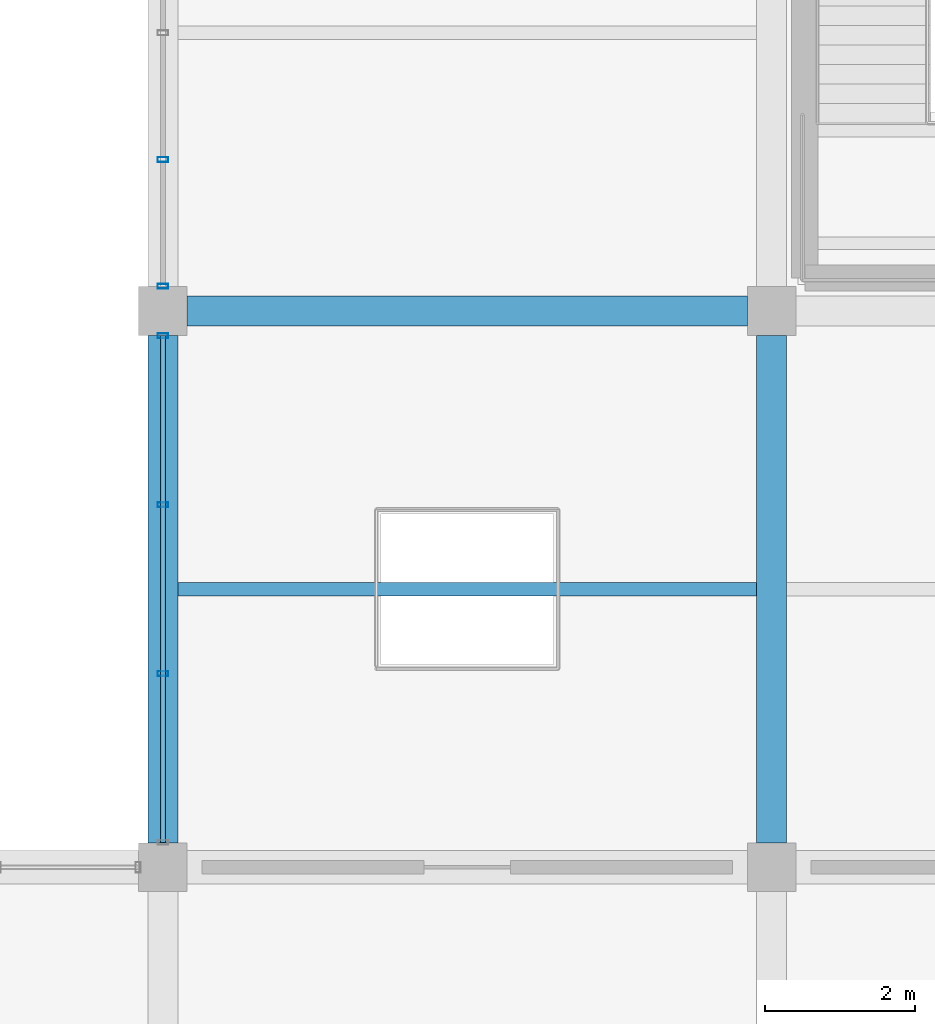
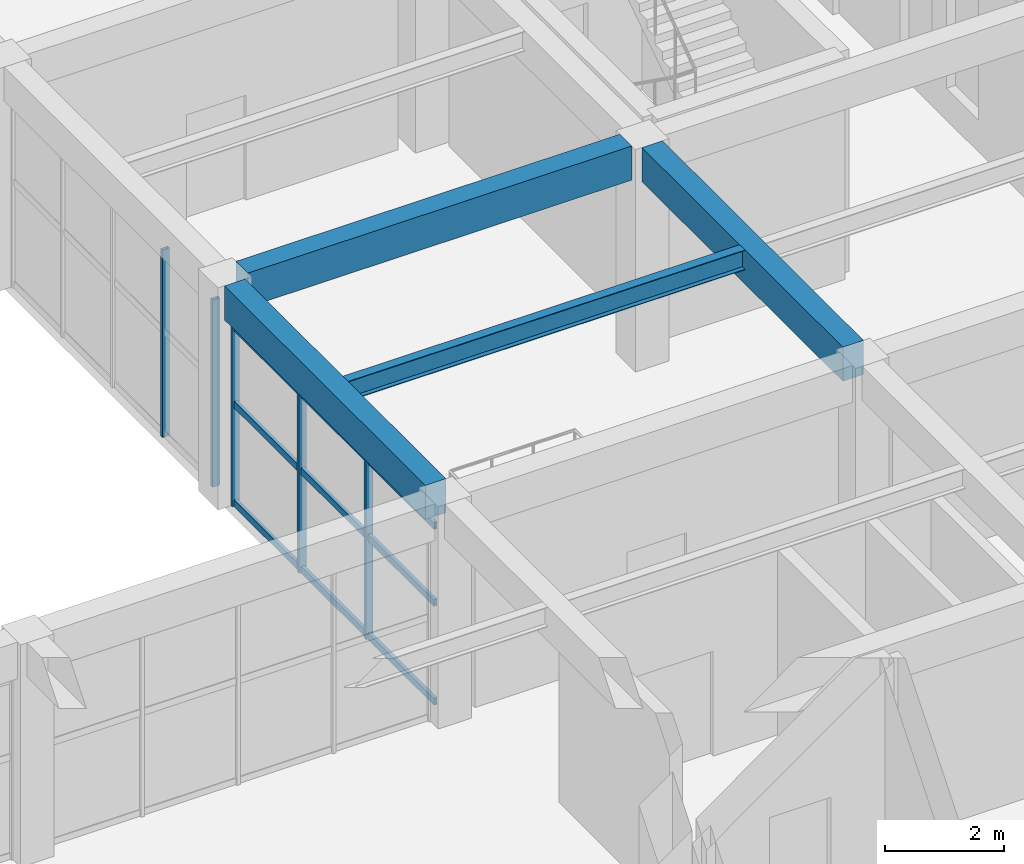
# One storey, part 111 of 161: 8 members, 4 beams, 2 elements without a shape of their own.
"""IFC4 building model written with IfcOpenShell, lengths in metres."""

from ifc_helpers import new_model, si_unit, direction, frame, origin, origin_2d, place, context, subcontext, project, spatial, rectangle, hollow_rectangle, i_section, extrude, material, material_profile, profile_set, type_object, element, aggregate, save


model = new_model("IFC4")

# Units and contexts
model_context = context("Model", 3, precision=1e-05, world=origin(), true_north=direction((0.0, 1.0)))
body_context = subcontext(model_context, "Body", "Model", "MODEL_VIEW")
ifc_project = project(units=[si_unit("LENGTHUNIT", "METRE"), si_unit("AREAUNIT", "SQUARE_METRE"), si_unit("VOLUMEUNIT", "CUBIC_METRE"), si_unit("PLANEANGLEUNIT", "RADIAN"), si_unit("MASSUNIT", "GRAM", prefix="KILO")], contexts=[model_context])

# Site, building, storey
site_placement = place(None, origin())
site = spatial("IfcSite", under=ifc_project, at=site_placement, CompositionType="ELEMENT")
building_placement = place(site_placement, origin())
building = spatial("IfcBuilding", under=site, at=building_placement, Name="Cimatlan Art Gallery", CompositionType="ELEMENT")
storey_placement = place(building_placement, frame((0.0, 0.0, 5.39990234375)))
storey = spatial("IfcBuildingStorey", under=building, at=storey_placement, Name="L01", CompositionType="ELEMENT", Elevation=5.39990234375)

# Beams
ifc_material_1 = material(Name="Concrete C40/50", Category="concrete")
ifc_material_profile_1 = material_profile(ifc_material_1, rectangle(XDim=0.39990234375, YDim=0.699951171875, at=origin_2d()), Name="RC400X700")
ifc_profile_set_1 = profile_set([ifc_material_profile_1], Name="Concrete C40/50")
beam_type_1 = type_object("IfcBeamType", Name="BM-RC-400X700", PredefinedType="BEAM", material=ifc_profile_set_1)
for number, where, z_axis, x_axis, name in (
    (1, (147.800048828125, 39.02490234375, 4.210205078125), (0.0, 1.0, 0.0), (-1.0, 0.0, 0.0), "BM-Y-L01-18-05"),
    (2, (155.89990234375, 39.02490234375, 4.210205078125), (0.0, 1.0, 0.0), (-1.0, 0.0, 0.0), "BM-Y-L01-19-05"),
):
    element("IfcBeam", number, at=place(storey_placement, frame(where, z_axis=z_axis, x_axis=x_axis)), inside=storey, type_object=beam_type_1, Name=name, PredefinedType="BEAM", context=body_context, shape_type="SweptSolid", body=[
        extrude(rectangle(XDim=0.39990234375, YDim=0.699951171875, at=origin_2d()), origin(), (0.0, 0.0, 1.0), 6.75),
    ])
beam_1_placement = place(storey_placement, frame((148.125, 46.10009765625, 4.210205078125), z_axis=(1.0, 0.0, 0.0), x_axis=(0.0, 1.0, 0.0)))
element("IfcBeam", 3, at=beam_1_placement, inside=storey, type_object=beam_type_1, Name="BM-X-L01-18-06", PredefinedType="BEAM", context=body_context, shape_type="SweptSolid", body=[
    extrude(rectangle(XDim=0.39990234375, YDim=0.699951171875, at=origin_2d()), origin(), (0.0, 0.0, 1.0), 7.449951171875),
])
ifc_material_2 = material(Name="Steel ASTM A992 Grade 50", Category="steel")
ifc_material_profile_2 = material_profile(ifc_material_2, i_section(OverallWidth=0.177978515625, OverallDepth=0.406982421875, WebThickness=0.0078125, FlangeThickness=0.0126953125, at=origin_2d()), Name="W16X40")
ifc_profile_set_2 = profile_set([ifc_material_profile_2], Name="Steel ASTM A992 Grade 50")
beam_type_2 = type_object("IfcBeamType", Name="BM-STL-W16X40", PredefinedType="JOIST", material=ifc_profile_set_2)
beam_2_placement = place(storey_placement, frame((148.0, 42.39990234375, 4.356689453125), z_axis=(1.0, 0.0, 0.0), x_axis=(0.0, 1.0, 0.0)))
element("IfcBeam", 4, at=beam_2_placement, inside=storey, type_object=beam_type_2, Name="JST-L01-18-05", PredefinedType="JOIST", context=body_context, shape_type="SweptSolid", body=[
    extrude(i_section(OverallWidth=0.177978515625, OverallDepth=0.406982421875, WebThickness=0.0078125, FlangeThickness=0.0126953125, at=origin_2d()), origin(), (0.0, 0.0, 1.0), 7.699951171875),
])

# Curtain wall, members
ifc_material_3 = material(Name="Anodised bronze unitised curtain wall")
curtain_wall_type_1 = type_object("IfcCurtainWallType", Name="CW-V-06742X03720-B3", PredefinedType="NOTDEFINED", material=ifc_material_3)
curtain_wall_1_placement = place(storey_placement, origin())
curtain_wall_1 = element("IfcCurtainWall", 5, at=curtain_wall_1_placement, inside=storey, type_object=curtain_wall_type_1, Name="CW-L01-18-05-W", PredefinedType="NOTDEFINED")
ifc_material_4 = material(Name="Anodised bronze aluminium 6063-T6", Category="aluminium")
ifc_material_profile_3 = material_profile(ifc_material_4, hollow_rectangle(XDim=0.06494140625, YDim=0.139892578125, WallThickness=0.00390625, at=origin_2d()), Name="ALU65X140X4")
ifc_profile_set_3 = profile_set([ifc_material_profile_3], Name="Anodised bronze aluminium 6063-T6")
member_type_1 = type_object("IfcMemberType", Name="CW-MUL-140", PredefinedType="MULLION", material=ifc_profile_set_3)
member_1_placement = place(storey_placement, frame((147.800048828125, 41.2763671875, 0.0), z_axis=(0.0, 0.0, 1.0), x_axis=(0.0, 1.0, 0.0)))
member_1 = element("IfcMember", 6, at=member_1_placement, type_object=member_type_1, Name="CW-L01-18-05-W-M2", PredefinedType="MULLION", context=body_context, shape_type="SweptSolid", body=[
    extrude(hollow_rectangle(XDim=0.06494140625, YDim=0.139892578125, WallThickness=0.00390625, at=origin_2d()), origin(), (0.0, 0.0, 1.0), 3.72021484375),
])
member_2_placement = place(storey_placement, frame((147.800048828125, 43.523681640625, 0.0), z_axis=(0.0, 0.0, 1.0), x_axis=(0.0, 1.0, 0.0)))
member_2 = element("IfcMember", 7, at=member_2_placement, type_object=member_type_1, Name="CW-L01-18-05-W-M3", PredefinedType="MULLION", context=body_context, shape_type="SweptSolid", body=[
    extrude(hollow_rectangle(XDim=0.06494140625, YDim=0.139892578125, WallThickness=0.00390625, at=origin_2d()), origin(), (0.0, 0.0, 1.0), 3.72021484375),
])
member_3_placement = place(storey_placement, frame((147.800048828125, 45.77099609375, 0.0), z_axis=(0.0, 0.0, 1.0), x_axis=(0.0, 1.0, 0.0)))
member_3 = element("IfcMember", 8, at=member_3_placement, type_object=member_type_1, Name="CW-L01-18-05-W-M4", PredefinedType="MULLION", context=body_context, shape_type="SweptSolid", body=[
    extrude(hollow_rectangle(XDim=0.06494140625, YDim=0.139892578125, WallThickness=0.00390625, at=origin_2d()), origin(), (0.0, 0.0, 1.0), 3.72021484375),
])

curtain_wall_type_2 = type_object("IfcCurtainWallType", Name="CW-V-06742X03845-B4", PredefinedType="NOTDEFINED", material=ifc_material_3)
curtain_wall_2_placement = place(storey_placement, origin())
curtain_wall_2 = element("IfcCurtainWall", 9, at=curtain_wall_2_placement, inside=storey, type_object=curtain_wall_type_2, Name="CW-L01-18-06-W", PredefinedType="NOTDEFINED")
member_4_placement = place(storey_placement, frame((147.800048828125, 46.428955078125, 0.0), z_axis=(0.0, 0.0, 1.0), x_axis=(0.0, 1.0, 0.0)))
member_4 = element("IfcMember", 10, at=member_4_placement, type_object=member_type_1, Name="CW-L01-18-06-W-M1", PredefinedType="MULLION", context=body_context, shape_type="SweptSolid", body=[
    extrude(hollow_rectangle(XDim=0.06494140625, YDim=0.139892578125, WallThickness=0.00390625, at=origin_2d()), origin(), (0.0, 0.0, 1.0), 3.84521484375),
])
member_5_placement = place(storey_placement, frame((147.800048828125, 48.114501953125, 0.0), z_axis=(0.0, 0.0, 1.0), x_axis=(0.0, 1.0, 0.0)))
member_5 = element("IfcMember", 11, at=member_5_placement, type_object=member_type_1, Name="CW-L01-18-06-W-M2", PredefinedType="MULLION", context=body_context, shape_type="SweptSolid", body=[
    extrude(hollow_rectangle(XDim=0.06494140625, YDim=0.139892578125, WallThickness=0.00390625, at=origin_2d()), origin(), (0.0, 0.0, 1.0), 3.84521484375),
])
aggregate(curtain_wall_2, [member_4, member_5])

# Member
ifc_material_profile_4 = material_profile(ifc_material_4, hollow_rectangle(XDim=0.06494140625, YDim=0.139892578125, WallThickness=0.00390625, at=origin_2d()), Name="ALU65X140X4")
ifc_profile_set_4 = profile_set([ifc_material_profile_4], Name="Anodised bronze aluminium 6063-T6")
member_type_2 = type_object("IfcMemberType", Name="CW-TRN-140", PredefinedType="USERDEFINED", material=ifc_profile_set_4)
member_6_placement = place(storey_placement, frame((147.800048828125, 39.029052734375, 0.06005859375), z_axis=(0.0, 1.0, 0.0), x_axis=(-1.0, 0.0, 0.0)))
member_6 = element("IfcMember", 12, at=member_6_placement, type_object=member_type_2, Name="CW-L01-18-05-W-T1", ObjectType="TRANSOM", PredefinedType="USERDEFINED", context=body_context, shape_type="SweptSolid", body=[
    extrude(hollow_rectangle(XDim=0.06494140625, YDim=0.139892578125, WallThickness=0.00390625, at=origin_2d()), origin(), (0.0, 0.0, 1.0), 6.741943359375),
])

member_7_placement = place(storey_placement, frame((147.800048828125, 39.029052734375, 2.083251953125), z_axis=(0.0, 1.0, 0.0), x_axis=(-1.0, 0.0, 0.0)))
member_7 = element("IfcMember", 13, at=member_7_placement, type_object=member_type_2, Name="CW-L01-18-05-W-T2", ObjectType="TRANSOM", PredefinedType="USERDEFINED", context=body_context, shape_type="SweptSolid", body=[
    extrude(hollow_rectangle(XDim=0.06494140625, YDim=0.139892578125, WallThickness=0.00390625, at=origin_2d()), origin(), (0.0, 0.0, 1.0), 6.741943359375),
])

member_8_placement = place(storey_placement, frame((147.800048828125, 39.029052734375, 3.66015625), z_axis=(0.0, 1.0, 0.0), x_axis=(-1.0, 0.0, 0.0)))
member_8 = element("IfcMember", 14, at=member_8_placement, type_object=member_type_2, Name="CW-L01-18-05-W-T3", ObjectType="TRANSOM", PredefinedType="USERDEFINED", context=body_context, shape_type="SweptSolid", body=[
    extrude(hollow_rectangle(XDim=0.06494140625, YDim=0.139892578125, WallThickness=0.00390625, at=origin_2d()), origin(), (0.0, 0.0, 1.0), 6.741943359375),
])

aggregate(curtain_wall_1, [member_1, member_2, member_3, member_6, member_7, member_8])

save(model, "model.ifc")
